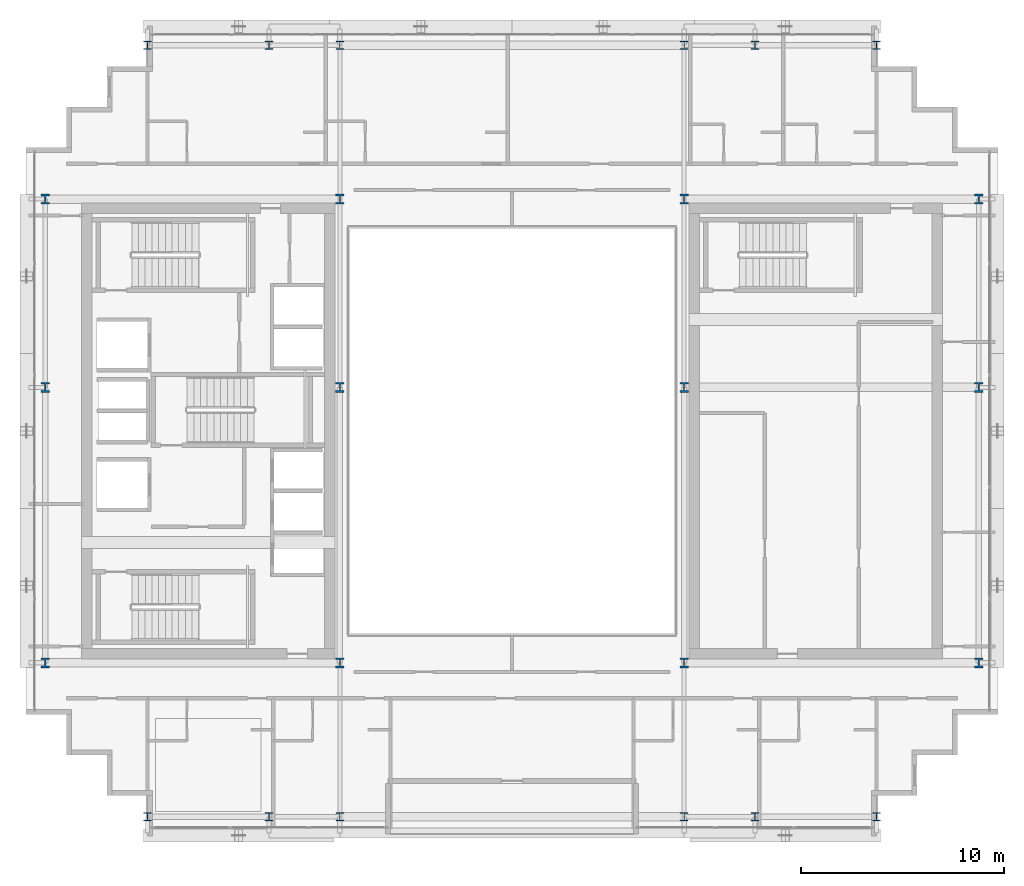
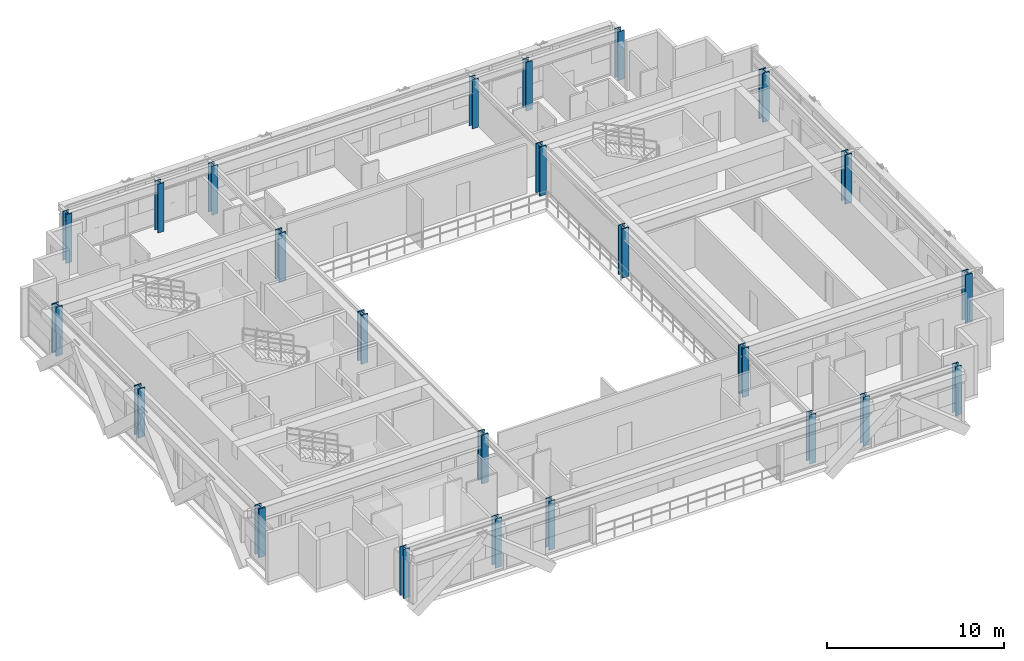
# One storey, part 1 of 31: 24 columns.
"""IFC4 building model written with IfcOpenShell, lengths in metres."""

from ifc_helpers import new_model, si_unit, direction, frame, origin, origin_2d, place, context, subcontext, project, spatial, i_section, extrude, source, transform, mapped, material, material_profile, profile_set, type_object, element, save


model = new_model("IFC4")

# Units and contexts
model_context = context("Model", 3, precision=1e-05, world=origin(), true_north=direction((0.0, 1.0)))
body_context = subcontext(model_context, "Body", "Model", "MODEL_VIEW")
ifc_project = project(units=[si_unit("LENGTHUNIT", "METRE"), si_unit("AREAUNIT", "SQUARE_METRE"), si_unit("VOLUMEUNIT", "CUBIC_METRE"), si_unit("PLANEANGLEUNIT", "RADIAN"), si_unit("MASSUNIT", "GRAM", prefix="KILO")], contexts=[model_context])

# Site, building, storey
site_placement = place(None, origin())
site = spatial("IfcSite", under=ifc_project, at=site_placement, CompositionType="ELEMENT")
building_placement = place(site_placement, origin())
building = spatial("IfcBuilding", under=site, at=building_placement, Name="Ocotamira Hotel", CompositionType="ELEMENT")
storey_placement = place(building_placement, frame((0.0, 0.0, 181.199951171875)))
storey = spatial("IfcBuildingStorey", under=building, at=storey_placement, Name="L45", CompositionType="ELEMENT", Elevation=181.199951171875)

# Columns
ifc_material = material(Name="Steel ASTM A913 Grade 65", Category="steel")
ifc_material_profile_1 = material_profile(ifc_material, i_section(OverallWidth=0.431884765625, OverallDepth=0.498046875, WebThickness=0.0556640625, FlangeThickness=0.0888671875, FilletRadius=0.02490234375, at=origin_2d()), Name="W14X500")
ifc_profile_set_1 = profile_set([ifc_material_profile_1], Name="Steel ASTM A913 Grade 65")
column_type_1 = type_object("IfcColumnType", Name="COL-W14X500", PredefinedType="COLUMN", material=ifc_profile_set_1)
shared_shape_1 = source(origin(), body_context, "Body", "SweptSolid", [
    extrude(i_section(OverallWidth=0.431884765625, OverallDepth=0.498046875, WebThickness=0.0556640625, FlangeThickness=0.0888671875, FilletRadius=0.02490234375, at=origin_2d()), origin(), (0.0, 0.0, 1.0), 3.3701171875),
])
for number, where, z_axis, x_axis, name in (
    (1, (8.949951171875, 14.550048828125, 0.0), (0.0, 0.0, 1.0), (1.0, 0.0, 0.0), "L45 Column TW8_14"),
    (2, (23.5, 14.550048828125, 0.0), (0.0, 0.0, 1.0), (1.0, 0.0, 0.0), "L45 Column TW23_14"),
    (3, (40.5, 14.550048828125, 0.0), (0.0, 0.0, 1.0), (1.0, 0.0, 0.0), "L45 Column TE40_14"),
    (4, (55.050048828125, 14.550048828125, 0.0), (0.0, 0.0, 1.0), (1.0, 0.0, 0.0), "L45 Column TE55_14"),
    (5, (8.949951171875, 28.14990234375, 0.0), (0.0, 0.0, 1.0), (1.0, 0.0, 0.0), "L45 Column TW8_28"),
    (6, (23.5, 28.14990234375, 0.0), (0.0, 0.0, 1.0), (1.0, 0.0, 0.0), "L45 Column TW23_28"),
    (7, (40.5, 28.14990234375, 0.0), (0.0, 0.0, 1.0), (1.0, 0.0, 0.0), "L45 Column TE40_28"),
    (8, (55.050048828125, 28.14990234375, 0.0), (0.0, 0.0, 1.0), (1.0, 0.0, 0.0), "L45 Column TE55_28"),
    (9, (8.949951171875, 37.449951171875, 0.0), (0.0, 0.0, 1.0), (1.0, 0.0, 0.0), "L45 Column TW8_37"),
    (10, (23.5, 37.449951171875, 0.0), (0.0, 0.0, 1.0), (1.0, 0.0, 0.0), "L45 Column TW23_37"),
    (11, (40.5, 37.449951171875, 0.0), (0.0, 0.0, 1.0), (1.0, 0.0, 0.0), "L45 Column TE40_37"),
    (12, (55.050048828125, 37.449951171875, 0.0), (0.0, 0.0, 1.0), (1.0, 0.0, 0.0), "L45 Column TE55_37"),
):
    element("IfcColumn", number, at=place(storey_placement, frame(where, z_axis=z_axis, x_axis=x_axis)), inside=storey, type_object=column_type_1, Name=name, PredefinedType="COLUMN", context=body_context, shape_type="MappedRepresentation", body=[
        mapped(shared_shape_1, transform((0.0, 0.0, 0.0), scale=1.0)),
    ])
ifc_material_profile_2 = material_profile(ifc_material, i_section(OverallWidth=0.404052734375, OverallDepth=0.406982421875, WebThickness=0.027099609375, FlangeThickness=0.043701171875, FilletRadius=0.02490234375, at=origin_2d()), Name="W14X233")
ifc_profile_set_2 = profile_set([ifc_material_profile_2], Name="Steel ASTM A913 Grade 65")
column_type_2 = type_object("IfcColumnType", Name="COL-W14X233", PredefinedType="COLUMN", material=ifc_profile_set_2)
shared_shape_2 = source(origin(), body_context, "Body", "SweptSolid", [
    extrude(i_section(OverallWidth=0.404052734375, OverallDepth=0.406982421875, WebThickness=0.027099609375, FlangeThickness=0.043701171875, FilletRadius=0.02490234375, at=origin_2d()), origin(), (0.0, 0.0, 1.0), 3.3701171875),
])
for number, where, z_axis, x_axis, name in (
    (13, (14.0, 6.949951171875, 0.0), (0.0, 0.0, 1.0), (1.0, 0.0, 0.0), "L45 Column NSP1_14"),
    (14, (20.0, 6.949951171875, 0.0), (0.0, 0.0, 1.0), (1.0, 0.0, 0.0), "L45 Column NSP1_20"),
    (15, (23.5, 6.949951171875, 0.0), (0.0, 0.0, 1.0), (1.0, 0.0, 0.0), "L45 Column NSP1_23"),
    (16, (40.5, 6.949951171875, 0.0), (0.0, 0.0, 1.0), (1.0, 0.0, 0.0), "L45 Column NSP1_40"),
    (17, (44.0, 6.949951171875, 0.0), (0.0, 0.0, 1.0), (1.0, 0.0, 0.0), "L45 Column NSP1_44"),
    (18, (50.0, 6.949951171875, 0.0), (0.0, 0.0, 1.0), (1.0, 0.0, 0.0), "L45 Column NSP1_50"),
    (19, (14.0, 45.050048828125, 0.0), (0.0, 0.0, 1.0), (1.0, 0.0, 0.0), "L45 Column NSP2_14"),
    (20, (20.0, 45.050048828125, 0.0), (0.0, 0.0, 1.0), (1.0, 0.0, 0.0), "L45 Column NSP2_20"),
    (21, (23.5, 45.050048828125, 0.0), (0.0, 0.0, 1.0), (1.0, 0.0, 0.0), "L45 Column NSP2_23"),
    (22, (40.5, 45.050048828125, 0.0), (0.0, 0.0, 1.0), (1.0, 0.0, 0.0), "L45 Column NSP2_40"),
    (23, (44.0, 45.050048828125, 0.0), (0.0, 0.0, 1.0), (1.0, 0.0, 0.0), "L45 Column NSP2_44"),
    (24, (50.0, 45.050048828125, 0.0), (0.0, 0.0, 1.0), (1.0, 0.0, 0.0), "L45 Column NSP2_50"),
):
    element("IfcColumn", number, at=place(storey_placement, frame(where, z_axis=z_axis, x_axis=x_axis)), inside=storey, type_object=column_type_2, Name=name, PredefinedType="COLUMN", context=body_context, shape_type="MappedRepresentation", body=[
        mapped(shared_shape_2, transform((0.0, 0.0, 0.0), scale=1.0)),
    ])

save(model, "model.ifc")
